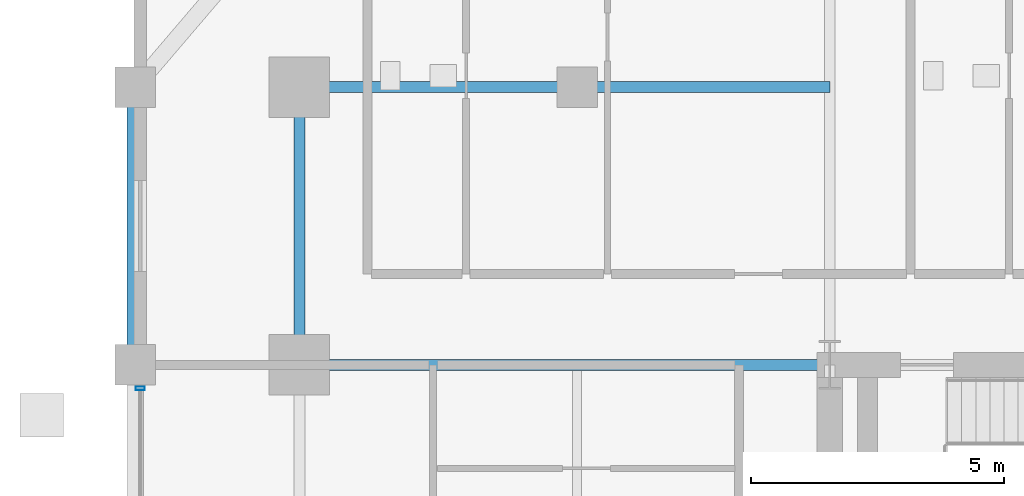
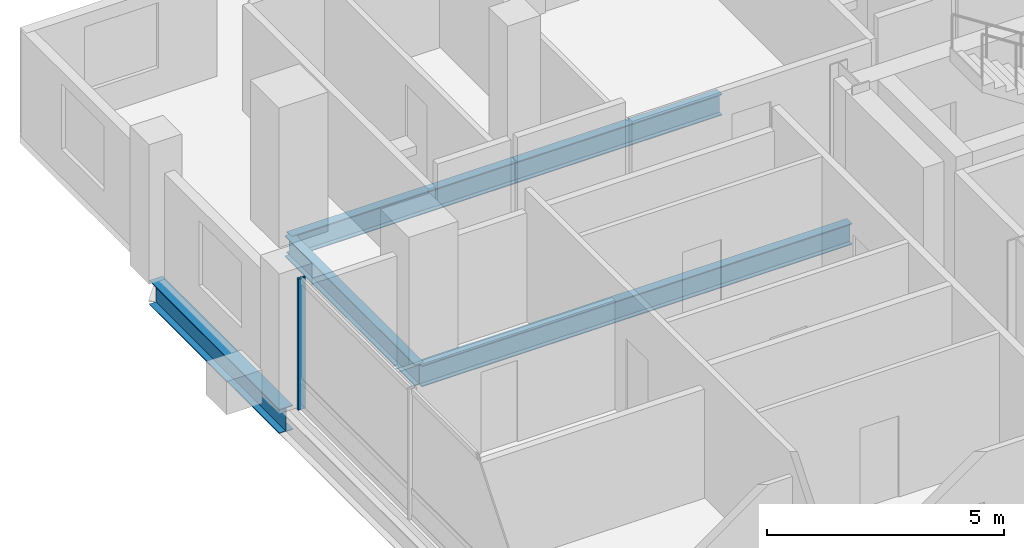
# One storey, part 8 of 20: 5 beams, 1 member, 1 element without a shape of its own.
"""IFC4 building model written with IfcOpenShell, lengths in metres."""

import ifcopenshell
import ifcopenshell.guid

model = None  # the IFC model being written
_history = None  # IfcOwnerHistory: only IFC2X3 demands one
_inside = {}  # id of a spatial element -> (the spatial element, [elements in it])
_under = {}  # id of a project, library or spatial element -> (it, [spatial elements below it])
_declared = {}  # id of a project -> (the project, [libraries it declares])
_typed = {}  # id of a type object -> (the type object, [elements of that type])
_made_of = {}  # id of a material, layer set ... -> (it, [elements and type objects made of it])


def new_model(schema):
    """Start an empty IFC model of exactly this schema.

    Asked for "IFC4X3", IfcOpenShell would pick the latest addendum, in which some entities
    have other attributes; the version numbers below select the first issue.
    IFC2X3 requires an IfcOwnerHistory on every rooted entity: one is made here for all.
    """
    global model, _history
    if schema == "IFC4X3":
        model = ifcopenshell.file(schema_version=(4, 3, 0, 0))
    else:
        model = ifcopenshell.file(schema=schema)
    _inside.clear()
    _under.clear()
    _declared.clear()
    _typed.clear()
    _made_of.clear()
    _history = None
    if model.schema == "IFC2X3":
        org = make("IfcOrganization", Name="unknown")
        user = make(
            "IfcPersonAndOrganization",
            ThePerson=make("IfcPerson", FamilyName="unknown"),
            TheOrganization=org,
        )
        app = make(
            "IfcApplication",
            ApplicationDeveloper=org,
            Version="unknown",
            ApplicationFullName="unknown",
            ApplicationIdentifier="unknown",
        )
        _history = make(
            "IfcOwnerHistory",
            OwningUser=user,
            OwningApplication=app,
            ChangeAction="ADDED",
            CreationDate=0,
        )
    return model


def make(cls, **values):
    """One entity of the class cls with the attributes given. An attribute that is None is left unset."""
    return model.create_entity(
        cls, **{name: value for name, value in values.items() if value is not None}
    )


def rooted(cls, **values):
    """An entity with a GlobalId (a new one), such as an element, a storey or a relation."""
    return make(cls, GlobalId=ifcopenshell.guid.new(), OwnerHistory=_history, **values)


def si_unit(unit_type, name, prefix=None):
    """IfcSIUnit, for example si_unit("LENGTHUNIT", "METRE", prefix="MILLI")."""
    return make("IfcSIUnit", UnitType=unit_type, Prefix=prefix, Name=name)


def assignment(units):
    """IfcUnitAssignment: the units of a project."""
    return None if units is None else make("IfcUnitAssignment", Units=units)


def point(xyz):
    """IfcCartesianPoint."""
    return None if xyz is None else make("IfcCartesianPoint", Coordinates=xyz)


def direction(xyz):
    """IfcDirection."""
    return None if xyz is None else make("IfcDirection", DirectionRatios=xyz)


def frame(location, z_axis=None, x_axis=None):
    """IfcAxis2Placement3D, a coordinate frame: its origin and axes. An axis left out is left unset."""
    return make(
        "IfcAxis2Placement3D",
        Location=point(location),
        Axis=direction(z_axis),
        RefDirection=direction(x_axis),
    )


def frame_2d(location, x_axis=None):
    """IfcAxis2Placement2D, a coordinate frame in the plane: its origin and x axis."""
    return make(
        "IfcAxis2Placement2D", Location=point(location), RefDirection=direction(x_axis)
    )


def origin():
    """The frame at (0, 0, 0) with its axes left unset."""
    return frame((0.0, 0.0, 0.0))


def origin_2d():
    """The frame at (0, 0) in the plane with its x axis left unset."""
    return frame_2d((0.0, 0.0))


def place(relative_to, where):
    """IfcLocalPlacement: puts the frame where relative to a parent placement (None: the world)."""
    return make(
        "IfcLocalPlacement", PlacementRelTo=relative_to, RelativePlacement=where
    )


def context(
    kind, dimensions, precision=None, world=None, true_north=None, identifier=None
):
    """IfcGeometricRepresentationContext, for example the 3D "Model" context."""
    return make(
        "IfcGeometricRepresentationContext",
        ContextIdentifier=identifier,
        ContextType=kind,
        CoordinateSpaceDimension=dimensions,
        Precision=precision,
        WorldCoordinateSystem=world,
        TrueNorth=true_north,
    )


def subcontext(parent, identifier, kind, view, scale=None):
    """IfcGeometricRepresentationSubContext, for example "Body" below "Model"."""
    return make(
        "IfcGeometricRepresentationSubContext",
        ContextIdentifier=identifier,
        ContextType=kind,
        ParentContext=parent,
        TargetScale=scale,
        TargetView=view,
    )


def project(units=None, contexts=None):
    """IfcProject with its units and contexts."""
    return rooted(
        "IfcProject",
        Name="project",
        RepresentationContexts=contexts,
        UnitsInContext=assignment(units),
    )


def spatial(cls, under=None, at=None, **own):
    """A site, building, storey or space (cls), placed at a placement, below another one or the project."""
    s = rooted(cls, ObjectPlacement=at, **own)
    if under is not None:
        _under.setdefault(under.id(), (under, []))[1].append(s)
    return s


def profile(cls, at=None, kind="AREA", **sizes):
    """A parametric profile (cls). Its sizes go by their IFC names, for example OverallWidth=200.0."""
    return make(cls, ProfileType=kind, Position=at, **sizes)


def hollow_rectangle(**sizes):
    """IfcRectangleHollowProfileDef."""
    return profile("IfcRectangleHollowProfileDef", **sizes)


def i_section(**sizes):
    """IfcIShapeProfileDef."""
    return profile("IfcIShapeProfileDef", **sizes)


def extrude(swept, where, along, depth):
    """IfcExtrudedAreaSolid: the profile swept, set in the frame where, extruded along a direction by depth."""
    return make(
        "IfcExtrudedAreaSolid",
        SweptArea=swept,
        Position=where,
        ExtrudedDirection=direction(along),
        Depth=depth,
    )


def shape(context_of_items, identifier, shape_type, items):
    """IfcShapeRepresentation: the items that make up one representation, for example the "Body"."""
    return make(
        "IfcShapeRepresentation",
        ContextOfItems=context_of_items,
        RepresentationIdentifier=identifier,
        RepresentationType=shape_type,
        Items=items,
    )


def material(Name=None, Category=None):
    """IfcMaterial."""
    return make("IfcMaterial", Name=Name, Category=Category)


def layer(
    of_material, thickness, ventilated=None, Name=None, Category=None, Priority=None
):
    """IfcMaterialLayer: one layer of a wall or slab, of a material (None: an air gap)."""
    return make(
        "IfcMaterialLayer",
        Material=of_material,
        LayerThickness=thickness,
        IsVentilated=ventilated,
        Name=Name,
        Category=Category,
        Priority=Priority,
    )


def layer_set(layers, Name=None):
    """IfcMaterialLayerSet."""
    return make("IfcMaterialLayerSet", MaterialLayers=layers, LayerSetName=Name)


def material_profile(
    of_material, cross_section, Name=None, Category=None, Priority=None
):
    """IfcMaterialProfile: a cross section and its material."""
    return make(
        "IfcMaterialProfile",
        Name=Name,
        Material=of_material,
        Profile=cross_section,
        Priority=Priority,
        Category=Category,
    )


def profile_set(profiles, Name=None, composite=None):
    """IfcMaterialProfileSet."""
    return make(
        "IfcMaterialProfileSet",
        Name=Name,
        MaterialProfiles=profiles,
        CompositeProfile=composite,
    )


def made_of(thing, what):
    """Note that an element or type object is made of a material, layer set ...; save() writes the relation."""
    if what is not None:
        _made_of.setdefault(what.id(), (what, []))[1].append(thing)
    return thing


def type_object(cls, material=None, **own):
    """A type object (cls), such as IfcWallType, which elements share."""
    return made_of(rooted(cls, **own), material)


def element(
    cls,
    number,
    at=None,
    inside=None,
    cuts=None,
    type_object=None,
    material=None,
    context=None,
    identifier="Body",
    shape_type=None,
    held_by="IfcProductDefinitionShape",
    body=None,
    shapes=None,
    **own,
):
    """One element of the class cls, such as IfcWall. Its Tag is "e" and its number.

    at: its placement. inside: the storey or other place that contains it. cuts: it is an
    opening in that element (IfcRelVoidsElement). A single representation is given by context,
    identifier, shape_type and body (its items); several are given by shapes. held_by: the class
    of the entity that holds the representations. save() writes the other relations.
    """
    e = rooted(cls, Tag="e%d" % number, ObjectPlacement=at, **own)
    if body is not None:
        shapes = [shape(context, identifier, shape_type, body)]
    if shapes is not None:
        e.Representation = make(held_by, Representations=shapes)
    if inside is not None:
        _inside.setdefault(inside.id(), (inside, []))[1].append(e)
    if cuts is not None:
        rooted(
            "IfcRelVoidsElement", RelatingBuildingElement=cuts, RelatedOpeningElement=e
        )
    if type_object is not None:
        _typed.setdefault(type_object.id(), (type_object, []))[1].append(e)
    return made_of(e, material)


def aggregate(whole, parts):
    """IfcRelAggregates: a whole, such as a stair, and the parts it consists of."""
    return rooted("IfcRelAggregates", RelatingObject=whole, RelatedObjects=parts)


def save(model, path):
    """Write the relations noted so far, then the file.

    IfcRelAggregates (storeys below a building ...), IfcRelContainedInSpatialStructure (elements
    in a storey), IfcRelDefinesByType, IfcRelAssociatesMaterial and IfcRelDeclares: one each for
    every whole, place, type object, material and project.
    """
    for whole, parts in _under.values():
        aggregate(whole, parts)
    for where, things in _inside.values():
        rooted(
            "IfcRelContainedInSpatialStructure",
            RelatedElements=things,
            RelatingStructure=where,
        )
    for kind, things in _typed.values():
        rooted("IfcRelDefinesByType", RelatedObjects=things, RelatingType=kind)
    for what, things in _made_of.values():
        rooted("IfcRelAssociatesMaterial", RelatedObjects=things, RelatingMaterial=what)
    for by, libraries in _declared.values():
        rooted("IfcRelDeclares", RelatingContext=by, RelatedDefinitions=libraries)
    model.write(path)


model = new_model("IFC4")

# Units and contexts
model_context = context("Model", 3, precision=1e-05, world=origin(), true_north=direction((0.0, 1.0)))
body_context = subcontext(model_context, "Body", "Model", "MODEL_VIEW")
ifc_project = project(units=[si_unit("LENGTHUNIT", "METRE"), si_unit("AREAUNIT", "SQUARE_METRE"), si_unit("VOLUMEUNIT", "CUBIC_METRE"), si_unit("PLANEANGLEUNIT", "RADIAN"), si_unit("MASSUNIT", "GRAM", prefix="KILO")], contexts=[model_context])

# Site, building, storey
site_placement = place(None, origin())
site = spatial("IfcSite", under=ifc_project, at=site_placement, CompositionType="ELEMENT")
building_placement = place(site_placement, origin())
building = spatial("IfcBuilding", under=site, at=building_placement, Name="Barlavira Tower and Art Museum", CompositionType="ELEMENT")
storey_placement = place(building_placement, frame((0.0, 0.0, 102.60009765625)))
storey = spatial("IfcBuildingStorey", under=building, at=storey_placement, Name="L25", CompositionType="ELEMENT", Elevation=102.60009765625)

# Curtain wall, member
ifc_material_1 = material(Name="Low-iron coastal laminated glass", Category="glass")
ifc_layer = layer(ifc_material_1, 0.18994140625, Name="Low-iron coastal laminated glass")
ifc_layer_set = layer_set([ifc_layer], Name="Low-iron coastal laminated glass")
curtain_wall_type = type_object("IfcCurtainWallType", Name="Pale-Metal Unitised Curtain Wall Zone 2", PredefinedType="NOTDEFINED", material=ifc_layer_set)
curtain_wall_placement = place(storey_placement, origin())
curtain_wall = element("IfcCurtainWall", 1, at=curtain_wall_placement, inside=storey, type_object=curtain_wall_type, Name="L25 Curtain Wall CW2-L25-W-B3", PredefinedType="NOTDEFINED")
ifc_material_2 = material(Name="Pale anodised aluminium", Category="aluminium")
ifc_material_profile_1 = material_profile(ifc_material_2, hollow_rectangle(XDim=0.06494140625, YDim=0.179931640625, WallThickness=0.00390625, at=origin_2d()), Name="ALU-MULL 65x180x4")
ifc_profile_set_1 = profile_set([ifc_material_profile_1], Name="Pale anodised aluminium")
member_type = type_object("IfcMemberType", Name="Curtain Wall Pale-Metal Mullion 65x180", PredefinedType="MULLION", material=ifc_profile_set_1)
member_placement = place(storey_placement, frame((-20.14990234375, 7.034912109375, 0.0), z_axis=(0.0, 0.0, 1.0), x_axis=(0.0, -1.0, 0.0)))
member = element("IfcMember", 2, at=member_placement, type_object=member_type, Name="CW2-L25-W-B3 Mullion 0", PredefinedType="MULLION", context=body_context, shape_type="SweptSolid", body=[
    extrude(hollow_rectangle(XDim=0.06494140625, YDim=0.179931640625, WallThickness=0.00390625, at=origin_2d()), origin(), (0.0, 0.0, 1.0), 3.3798828125),
])
aggregate(curtain_wall, [member])

# Beams
ifc_material_3 = material(Name="Steel S355", Category="steel")
ifc_material_profile_2 = material_profile(ifc_material_3, i_section(OverallWidth=0.327880859375, OverallDepth=0.62890625, WebThickness=0.013916015625, FlangeThickness=0.021484375, at=origin_2d()), Name="W610x174.0")
ifc_profile_set_2 = profile_set([ifc_material_profile_2], Name="Steel S355")
beam_type_1 = type_object("IfcBeamType", Name="Perimeter Spandrel Edge Beam W610x174 Steel S355", PredefinedType="SPANDREL", material=ifc_profile_set_2)
beam_1_placement = place(storey_placement, frame((-20.25, 7.5, -0.53466796875), z_axis=(0.0, 1.0, 0.0), x_axis=(-1.0, 0.0, 0.0)))
element("IfcBeam", 3, at=beam_1_placement, inside=storey, type_object=beam_type_1, Name="L25 Spandrel 13", PredefinedType="SPANDREL", context=body_context, shape_type="SweptSolid", body=[
    extrude(i_section(OverallWidth=0.327880859375, OverallDepth=0.62890625, WebThickness=0.013916015625, FlangeThickness=0.021484375, at=origin_2d()), origin(), (0.0, 0.0, 1.0), 5.5),
])
ifc_material_profile_3 = material_profile(ifc_material_3, i_section(OverallWidth=0.214111328125, OverallDepth=0.549072265625, WebThickness=0.0146484375, FlangeThickness=0.023681640625, at=origin_2d()), Name="W530x138.0")
ifc_profile_set_3 = profile_set([ifc_material_profile_3], Name="Steel S355")
beam_type_2 = type_object("IfcBeamType", Name="Zone 1 Primary Floor Girder W530x138 Steel S355", PredefinedType="BEAM", material=ifc_profile_set_3)
beam_2_placement = place(storey_placement, frame((-17.0, 7.5, -0.49462890625), z_axis=(0.0, 1.0, 0.0), x_axis=(-1.0, 0.0, 0.0)))
element("IfcBeam", 4, at=beam_2_placement, inside=storey, type_object=beam_type_2, Name="L25 Girder M-W3", PredefinedType="BEAM", context=body_context, shape_type="SweptSolid", body=[
    extrude(i_section(OverallWidth=0.214111328125, OverallDepth=0.549072265625, WebThickness=0.0146484375, FlangeThickness=0.023681640625, at=origin_2d()), origin(), (0.0, 0.0, 1.0), 5.5),
])
beam_3_placement = place(storey_placement, frame((-17.0, 7.5, -0.49462890625), z_axis=(1.0, 0.0, 0.0), x_axis=(0.0, 1.0, 0.0)))
element("IfcBeam", 5, at=beam_3_placement, inside=storey, type_object=beam_type_2, Name="L25 Girder R-W2", PredefinedType="BEAM", context=body_context, shape_type="SweptSolid", body=[
    extrude(i_section(OverallWidth=0.214111328125, OverallDepth=0.549072265625, WebThickness=0.0146484375, FlangeThickness=0.023681640625, at=origin_2d()), origin(), (0.0, 0.0, 1.0), 10.5),
])
beam_4_placement = place(storey_placement, frame((-17.0, 13.0, -0.49462890625), z_axis=(1.0, 0.0, 0.0), x_axis=(0.0, 1.0, 0.0)))
element("IfcBeam", 6, at=beam_4_placement, inside=storey, type_object=beam_type_2, Name="L25 Girder I-N1", PredefinedType="BEAM", context=body_context, shape_type="SweptSolid", body=[
    extrude(i_section(OverallWidth=0.214111328125, OverallDepth=0.549072265625, WebThickness=0.0146484375, FlangeThickness=0.023681640625, at=origin_2d()), origin(), (0.0, 0.0, 1.0), 5.5),
])
beam_5_placement = place(storey_placement, frame((-11.5, 13.0, -0.49462890625), z_axis=(1.0, 0.0, 0.0), x_axis=(0.0, 1.0, 0.0)))
element("IfcBeam", 7, at=beam_5_placement, inside=storey, type_object=beam_type_2, Name="L25 Girder I-N2", PredefinedType="BEAM", context=body_context, shape_type="SweptSolid", body=[
    extrude(i_section(OverallWidth=0.214111328125, OverallDepth=0.549072265625, WebThickness=0.0146484375, FlangeThickness=0.023681640625, at=origin_2d()), origin(), (0.0, 0.0, 1.0), 5.0),
])

save(model, "model.ifc")
